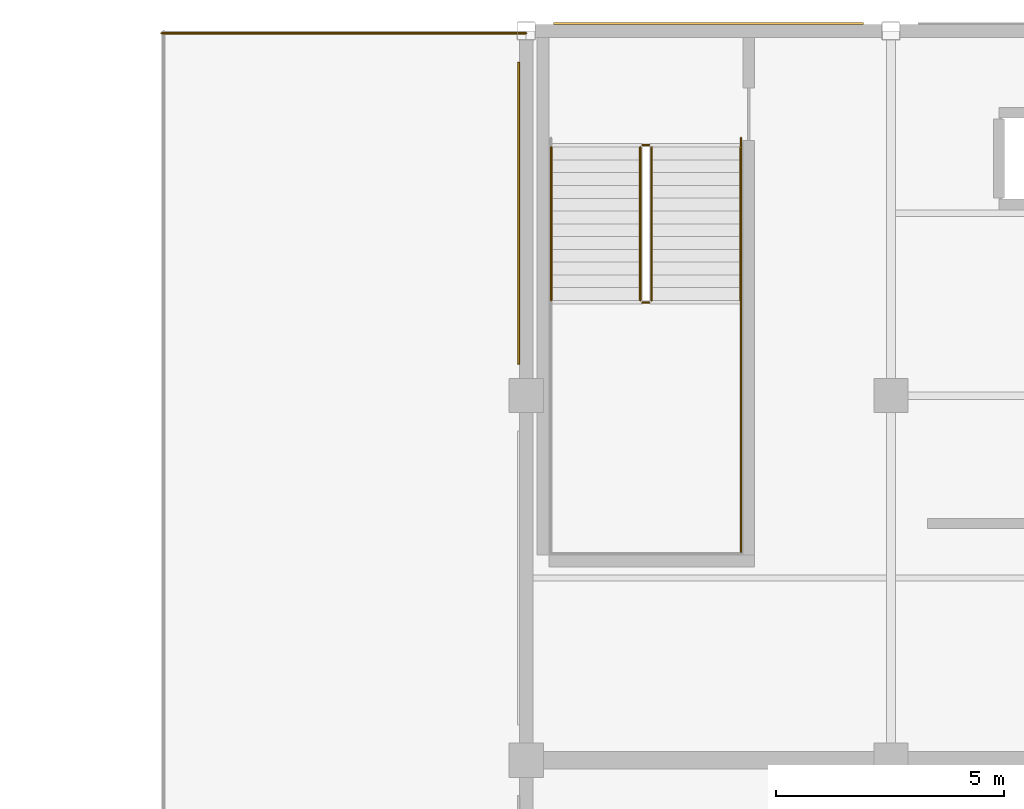
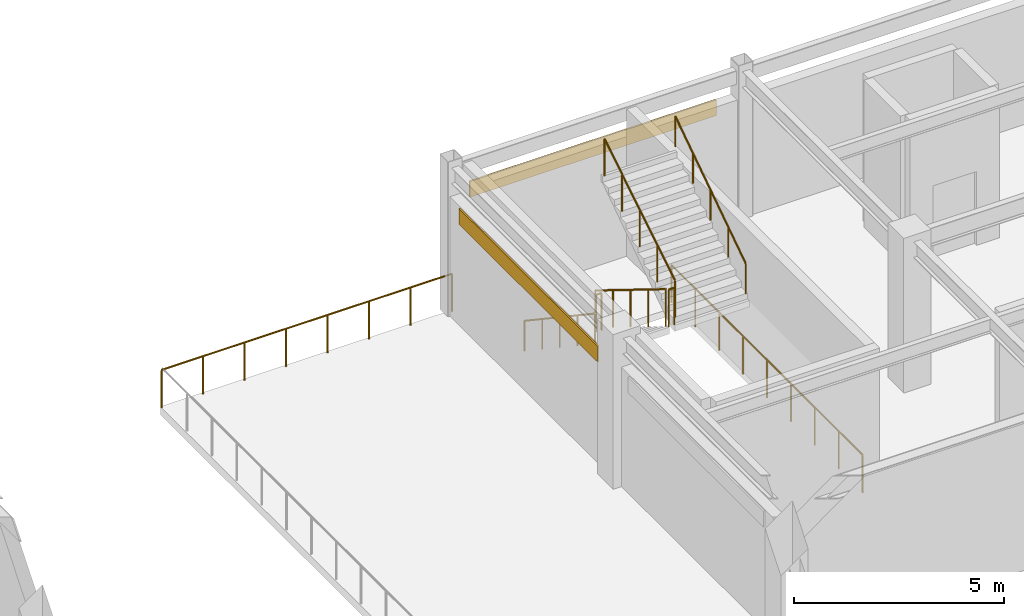
# One storey, part 72 of 75: 8 railings, 2 coverings.
"""IFC4 building model written with IfcOpenShell, lengths in metres."""

import ifcopenshell
import ifcopenshell.guid

model = None  # the IFC model being written
_history = None  # IfcOwnerHistory: only IFC2X3 demands one
_inside = {}  # id of a spatial element -> (the spatial element, [elements in it])
_under = {}  # id of a project, library or spatial element -> (it, [spatial elements below it])
_declared = {}  # id of a project -> (the project, [libraries it declares])
_typed = {}  # id of a type object -> (the type object, [elements of that type])
_made_of = {}  # id of a material, layer set ... -> (it, [elements and type objects made of it])


def new_model(schema):
    """Start an empty IFC model of exactly this schema.

    Asked for "IFC4X3", IfcOpenShell would pick the latest addendum, in which some entities
    have other attributes; the version numbers below select the first issue.
    IFC2X3 requires an IfcOwnerHistory on every rooted entity: one is made here for all.
    """
    global model, _history
    if schema == "IFC4X3":
        model = ifcopenshell.file(schema_version=(4, 3, 0, 0))
    else:
        model = ifcopenshell.file(schema=schema)
    _inside.clear()
    _under.clear()
    _declared.clear()
    _typed.clear()
    _made_of.clear()
    _history = None
    if model.schema == "IFC2X3":
        org = make("IfcOrganization", Name="unknown")
        user = make(
            "IfcPersonAndOrganization",
            ThePerson=make("IfcPerson", FamilyName="unknown"),
            TheOrganization=org,
        )
        app = make(
            "IfcApplication",
            ApplicationDeveloper=org,
            Version="unknown",
            ApplicationFullName="unknown",
            ApplicationIdentifier="unknown",
        )
        _history = make(
            "IfcOwnerHistory",
            OwningUser=user,
            OwningApplication=app,
            ChangeAction="ADDED",
            CreationDate=0,
        )
    return model


def make(cls, **values):
    """One entity of the class cls with the attributes given. An attribute that is None is left unset."""
    return model.create_entity(
        cls, **{name: value for name, value in values.items() if value is not None}
    )


def rooted(cls, **values):
    """An entity with a GlobalId (a new one), such as an element, a storey or a relation."""
    return make(cls, GlobalId=ifcopenshell.guid.new(), OwnerHistory=_history, **values)


def si_unit(unit_type, name, prefix=None):
    """IfcSIUnit, for example si_unit("LENGTHUNIT", "METRE", prefix="MILLI")."""
    return make("IfcSIUnit", UnitType=unit_type, Prefix=prefix, Name=name)


def assignment(units):
    """IfcUnitAssignment: the units of a project."""
    return None if units is None else make("IfcUnitAssignment", Units=units)


def point(xyz):
    """IfcCartesianPoint."""
    return None if xyz is None else make("IfcCartesianPoint", Coordinates=xyz)


def direction(xyz):
    """IfcDirection."""
    return None if xyz is None else make("IfcDirection", DirectionRatios=xyz)


def frame(location, z_axis=None, x_axis=None):
    """IfcAxis2Placement3D, a coordinate frame: its origin and axes. An axis left out is left unset."""
    return make(
        "IfcAxis2Placement3D",
        Location=point(location),
        Axis=direction(z_axis),
        RefDirection=direction(x_axis),
    )


def frame_2d(location, x_axis=None):
    """IfcAxis2Placement2D, a coordinate frame in the plane: its origin and x axis."""
    return make(
        "IfcAxis2Placement2D", Location=point(location), RefDirection=direction(x_axis)
    )


def origin():
    """The frame at (0, 0, 0) with its axes left unset."""
    return frame((0.0, 0.0, 0.0))


def origin_2d():
    """The frame at (0, 0) in the plane with its x axis left unset."""
    return frame_2d((0.0, 0.0))


def place(relative_to, where):
    """IfcLocalPlacement: puts the frame where relative to a parent placement (None: the world)."""
    return make(
        "IfcLocalPlacement", PlacementRelTo=relative_to, RelativePlacement=where
    )


def context(
    kind, dimensions, precision=None, world=None, true_north=None, identifier=None
):
    """IfcGeometricRepresentationContext, for example the 3D "Model" context."""
    return make(
        "IfcGeometricRepresentationContext",
        ContextIdentifier=identifier,
        ContextType=kind,
        CoordinateSpaceDimension=dimensions,
        Precision=precision,
        WorldCoordinateSystem=world,
        TrueNorth=true_north,
    )


def subcontext(parent, identifier, kind, view, scale=None):
    """IfcGeometricRepresentationSubContext, for example "Body" below "Model"."""
    return make(
        "IfcGeometricRepresentationSubContext",
        ContextIdentifier=identifier,
        ContextType=kind,
        ParentContext=parent,
        TargetScale=scale,
        TargetView=view,
    )


def project(units=None, contexts=None):
    """IfcProject with its units and contexts."""
    return rooted(
        "IfcProject",
        Name="project",
        RepresentationContexts=contexts,
        UnitsInContext=assignment(units),
    )


def spatial(cls, under=None, at=None, **own):
    """A site, building, storey or space (cls), placed at a placement, below another one or the project."""
    s = rooted(cls, ObjectPlacement=at, **own)
    if under is not None:
        _under.setdefault(under.id(), (under, []))[1].append(s)
    return s


def profile(cls, at=None, kind="AREA", **sizes):
    """A parametric profile (cls). Its sizes go by their IFC names, for example OverallWidth=200.0."""
    return make(cls, ProfileType=kind, Position=at, **sizes)


def rectangle(**sizes):
    """IfcRectangleProfileDef."""
    return profile("IfcRectangleProfileDef", **sizes)


def circle(**sizes):
    """IfcCircleProfileDef."""
    return profile("IfcCircleProfileDef", **sizes)


def extrude(swept, where, along, depth):
    """IfcExtrudedAreaSolid: the profile swept, set in the frame where, extruded along a direction by depth."""
    return make(
        "IfcExtrudedAreaSolid",
        SweptArea=swept,
        Position=where,
        ExtrudedDirection=direction(along),
        Depth=depth,
    )


def shape(context_of_items, identifier, shape_type, items):
    """IfcShapeRepresentation: the items that make up one representation, for example the "Body"."""
    return make(
        "IfcShapeRepresentation",
        ContextOfItems=context_of_items,
        RepresentationIdentifier=identifier,
        RepresentationType=shape_type,
        Items=items,
    )


def material(Name=None, Category=None):
    """IfcMaterial."""
    return make("IfcMaterial", Name=Name, Category=Category)


def layer(
    of_material, thickness, ventilated=None, Name=None, Category=None, Priority=None
):
    """IfcMaterialLayer: one layer of a wall or slab, of a material (None: an air gap)."""
    return make(
        "IfcMaterialLayer",
        Material=of_material,
        LayerThickness=thickness,
        IsVentilated=ventilated,
        Name=Name,
        Category=Category,
        Priority=Priority,
    )


def layer_set(layers, Name=None):
    """IfcMaterialLayerSet."""
    return make("IfcMaterialLayerSet", MaterialLayers=layers, LayerSetName=Name)


def made_of(thing, what):
    """Note that an element or type object is made of a material, layer set ...; save() writes the relation."""
    if what is not None:
        _made_of.setdefault(what.id(), (what, []))[1].append(thing)
    return thing


def type_object(cls, material=None, **own):
    """A type object (cls), such as IfcWallType, which elements share."""
    return made_of(rooted(cls, **own), material)


def element(
    cls,
    number,
    at=None,
    inside=None,
    cuts=None,
    type_object=None,
    material=None,
    context=None,
    identifier="Body",
    shape_type=None,
    held_by="IfcProductDefinitionShape",
    body=None,
    shapes=None,
    **own,
):
    """One element of the class cls, such as IfcWall. Its Tag is "e" and its number.

    at: its placement. inside: the storey or other place that contains it. cuts: it is an
    opening in that element (IfcRelVoidsElement). A single representation is given by context,
    identifier, shape_type and body (its items); several are given by shapes. held_by: the class
    of the entity that holds the representations. save() writes the other relations.
    """
    e = rooted(cls, Tag="e%d" % number, ObjectPlacement=at, **own)
    if body is not None:
        shapes = [shape(context, identifier, shape_type, body)]
    if shapes is not None:
        e.Representation = make(held_by, Representations=shapes)
    if inside is not None:
        _inside.setdefault(inside.id(), (inside, []))[1].append(e)
    if cuts is not None:
        rooted(
            "IfcRelVoidsElement", RelatingBuildingElement=cuts, RelatedOpeningElement=e
        )
    if type_object is not None:
        _typed.setdefault(type_object.id(), (type_object, []))[1].append(e)
    return made_of(e, material)


def aggregate(whole, parts):
    """IfcRelAggregates: a whole, such as a stair, and the parts it consists of."""
    return rooted("IfcRelAggregates", RelatingObject=whole, RelatedObjects=parts)


def save(model, path):
    """Write the relations noted so far, then the file.

    IfcRelAggregates (storeys below a building ...), IfcRelContainedInSpatialStructure (elements
    in a storey), IfcRelDefinesByType, IfcRelAssociatesMaterial and IfcRelDeclares: one each for
    every whole, place, type object, material and project.
    """
    for whole, parts in _under.values():
        aggregate(whole, parts)
    for where, things in _inside.values():
        rooted(
            "IfcRelContainedInSpatialStructure",
            RelatedElements=things,
            RelatingStructure=where,
        )
    for kind, things in _typed.values():
        rooted("IfcRelDefinesByType", RelatedObjects=things, RelatingType=kind)
    for what, things in _made_of.values():
        rooted("IfcRelAssociatesMaterial", RelatedObjects=things, RelatingMaterial=what)
    for by, libraries in _declared.values():
        rooted("IfcRelDeclares", RelatingContext=by, RelatedDefinitions=libraries)
    model.write(path)


model = new_model("IFC4")

# Units and contexts
model_context = context("Model", 3, precision=1e-05, world=origin(), true_north=direction((0.0, 1.0)))
body_context = subcontext(model_context, "Body", "Model", "MODEL_VIEW")
ifc_project = project(units=[si_unit("LENGTHUNIT", "METRE"), si_unit("AREAUNIT", "SQUARE_METRE"), si_unit("VOLUMEUNIT", "CUBIC_METRE"), si_unit("PLANEANGLEUNIT", "RADIAN"), si_unit("MASSUNIT", "GRAM", prefix="KILO")], contexts=[model_context])

# Site, building, storey
site_placement = place(None, origin())
site = spatial("IfcSite", under=ifc_project, at=site_placement, CompositionType="ELEMENT")
building_placement = place(site_placement, origin())
building = spatial("IfcBuilding", under=site, at=building_placement, Name="Solmirada Galleria", CompositionType="ELEMENT")
storey_placement = place(building_placement, frame((0.0, 0.0, 19.39990234375)))
storey = spatial("IfcBuildingStorey", under=building, at=storey_placement, Name="L04", CompositionType="ELEMENT", Elevation=19.39990234375)

# Coverings
ifc_material_1 = material(Name="Limestone cladding panels", Category="masonry")
ifc_layer_1 = layer(ifc_material_1, 0.044921875)
ifc_layer_set_1 = layer_set([ifc_layer_1], Name="Limestone cladding panels")
covering_type_1 = type_object("IfcCoveringType", Name="COV-CLAD-LIME", PredefinedType="CLADDING", material=ifc_layer_set_1)
covering_1_placement = place(storey_placement, frame((132.0, 120.16748046875, 2.990234375), z_axis=(0.0, 0.0, 1.0), x_axis=(1.0, 0.0, 0.0)))
element("IfcCovering", 1, at=covering_1_placement, inside=storey, type_object=covering_type_1, Name="Postmodern facade cladding L04-306", PredefinedType="CLADDING", context=body_context, shape_type="SweptSolid", body=[
    extrude(rectangle(XDim=6.7939453125, YDim=0.044921875, at=origin_2d()), origin(), (0.0, 0.0, 1.0), 0.4599609375),
])
ifc_material_2 = material(Name="Glazed terracotta facade panels", Category="masonry")
ifc_layer_2 = layer(ifc_material_2, 0.0400390625)
ifc_layer_set_2 = layer_set([ifc_layer_2], Name="Glazed terracotta facade panels")
covering_type_2 = type_object("IfcCoveringType", Name="COV-CLAD-TERRA", PredefinedType="CLADDING", material=ifc_layer_set_2)
covering_2_placement = place(storey_placement, frame((127.8349609375, 116.0, 2.990234375), z_axis=(0.0, 0.0, 1.0), x_axis=(0.0, 1.0, 0.0)))
element("IfcCovering", 2, at=covering_2_placement, inside=storey, type_object=covering_type_2, Name="Postmodern facade cladding L04-305", PredefinedType="CLADDING", context=body_context, shape_type="SweptSolid", body=[
    extrude(rectangle(XDim=6.6220703125, YDim=0.0400390625, at=origin_2d()), origin(), (0.0, 0.0, 1.0), 0.4599609375),
])

# Railings
ifc_material_3 = material(Name="Painted steel tubular railing", Category="steel")
railing_type_1 = type_object("IfcRailingType", Name="RAIL-STAIR-GUARD", PredefinedType="GUARDRAIL", material=ifc_material_3)
railing_1_placement = place(storey_placement, frame((130.5, 117.449951171875, 0.173095703125)))
element("IfcRailing", 3, at=railing_1_placement, inside=storey, type_object=railing_type_1, Name="L04 ST3 stair guard 1", PredefinedType="GUARDRAIL", context=body_context, shape_type="SweptSolid", body=[
    extrude(circle(Radius=0.02392578125, at=origin_2d()), frame((0.0, 0.0, 1.076171875), z_axis=(0.0, -0.850606129759, 0.525803396734), x_axis=(1.0, 0.0, 0.0)), (0.0, 0.0, 1.0), 3.949951171875),
    extrude(circle(Radius=0.02099609375, at=origin_2d()), origin(), (0.0, 0.0, 1.0), 1.048095703125),
    extrude(circle(Radius=0.02099609375, at=origin_2d()), frame((0.0, -0.83984375, 0.519287109375)), (0.0, 0.0, 1.0), 1.048095703125),
    extrude(circle(Radius=0.02099609375, at=origin_2d()), frame((0.0, -1.679931640625, 1.03857421875)), (0.0, 0.0, 1.0), 1.048095703125),
    extrude(circle(Radius=0.02099609375, at=origin_2d()), frame((0.0, -2.52001953125, 1.5576171875)), (0.0, 0.0, 1.0), 1.048095703125),
    extrude(circle(Radius=0.02099609375, at=origin_2d()), frame((0.0, -3.35986328125, 2.076904296875)), (0.0, 0.0, 1.0), 1.048095703125),
])
railing_2_placement = place(storey_placement, frame((130.550048828125, 114.0400390625, 2.25)))
element("IfcRailing", 4, at=railing_2_placement, inside=storey, type_object=railing_type_1, Name="L04 ST3 stair guard 2", PredefinedType="GUARDRAIL", context=body_context, shape_type="SweptSolid", body=[
    extrude(circle(Radius=0.02392578125, at=origin_2d()), frame((0.0, 0.0, 1.076171875), z_axis=(1.0, 0.0, 0.0), x_axis=(0.0, 1.0, 0.0)), (0.0, 0.0, 1.0), 0.14990234375),
    extrude(circle(Radius=0.02099609375, at=origin_2d()), origin(), (0.0, 0.0, 1.0), 1.048095703125),
    extrude(circle(Radius=0.02099609375, at=origin_2d()), frame((0.14990234375, 0.0, 0.0)), (0.0, 0.0, 1.0), 1.048095703125),
])
railing_3_placement = place(storey_placement, frame((130.75, 114.090087890625, 2.423095703125)))
element("IfcRailing", 5, at=railing_3_placement, inside=storey, type_object=railing_type_1, Name="L04 ST3 stair guard 3", PredefinedType="GUARDRAIL", context=body_context, shape_type="SweptSolid", body=[
    extrude(circle(Radius=0.02392578125, at=origin_2d()), frame((0.0, 0.0, 1.076171875), z_axis=(0.0, 0.850606129759, 0.525803396734), x_axis=(-1.0, 0.0, 0.0)), (0.0, 0.0, 1.0), 3.949951171875),
    extrude(circle(Radius=0.02099609375, at=origin_2d()), origin(), (0.0, 0.0, 1.0), 1.048095703125),
    extrude(circle(Radius=0.02099609375, at=origin_2d()), frame((0.0, 0.83984375, 0.519287109375)), (0.0, 0.0, 1.0), 1.048095703125),
    extrude(circle(Radius=0.02099609375, at=origin_2d()), frame((0.0, 1.679931640625, 1.03857421875)), (0.0, 0.0, 1.0), 1.048095703125),
    extrude(circle(Radius=0.02099609375, at=origin_2d()), frame((0.0, 2.52001953125, 1.5576171875)), (0.0, 0.0, 1.0), 1.048095703125),
    extrude(circle(Radius=0.02099609375, at=origin_2d()), frame((0.0, 3.35986328125, 2.076904296875)), (0.0, 0.0, 1.0), 1.048095703125),
])
railing_4_placement = place(storey_placement, frame((130.550048828125, 117.5, 0.0)))
element("IfcRailing", 6, at=railing_4_placement, inside=storey, type_object=railing_type_1, Name="L04 ST3 stair guard 4", PredefinedType="GUARDRAIL", context=body_context, shape_type="SweptSolid", body=[
    extrude(circle(Radius=0.02392578125, at=origin_2d()), frame((0.0, 0.0, 1.076171875), z_axis=(1.0, 0.0, 0.0), x_axis=(0.0, 1.0, 0.0)), (0.0, 0.0, 1.0), 0.14990234375),
    extrude(circle(Radius=0.02099609375, at=origin_2d()), origin(), (0.0, 0.0, 1.0), 1.048095703125),
    extrude(circle(Radius=0.02099609375, at=origin_2d()), frame((0.14990234375, 0.0, 0.0)), (0.0, 0.0, 1.0), 1.048095703125),
])
railing_5_placement = place(storey_placement, frame((132.7099609375, 117.64990234375, 0.0)))
element("IfcRailing", 7, at=railing_5_placement, inside=storey, type_object=railing_type_1, Name="Stair ST3 well edge guard L04-1", PredefinedType="GUARDRAIL", context=body_context, shape_type="SweptSolid", body=[
    extrude(circle(Radius=0.02392578125, at=origin_2d()), frame((0.0, 0.0, 1.09619140625), z_axis=(0.0, -1.0, 0.0), x_axis=(1.0, 0.0, 0.0)), (0.0, 0.0, 1.0), 9.10986328125),
    extrude(circle(Radius=0.02099609375, at=origin_2d()), origin(), (0.0, 0.0, 1.0), 1.068115234375),
    extrude(circle(Radius=0.02099609375, at=origin_2d()), frame((0.0, -1.138671875, 0.0)), (0.0, 0.0, 1.0), 1.068115234375),
    extrude(circle(Radius=0.02099609375, at=origin_2d()), frame((0.0, -2.27734375, 0.0)), (0.0, 0.0, 1.0), 1.068115234375),
    extrude(circle(Radius=0.02099609375, at=origin_2d()), frame((0.0, -3.416259765625, 0.0)), (0.0, 0.0, 1.0), 1.068115234375),
    extrude(circle(Radius=0.02099609375, at=origin_2d()), frame((0.0, -4.554931640625, 0.0)), (0.0, 0.0, 1.0), 1.068115234375),
    extrude(circle(Radius=0.02099609375, at=origin_2d()), frame((0.0, -5.693603515625, 0.0)), (0.0, 0.0, 1.0), 1.068115234375),
    extrude(circle(Radius=0.02099609375, at=origin_2d()), frame((0.0, -6.83251953125, 0.0)), (0.0, 0.0, 1.0), 1.068115234375),
    extrude(circle(Radius=0.02099609375, at=origin_2d()), frame((0.0, -7.97119140625, 0.0)), (0.0, 0.0, 1.0), 1.068115234375),
    extrude(circle(Radius=0.02099609375, at=origin_2d()), frame((0.0, -9.10986328125, 0.0)), (0.0, 0.0, 1.0), 1.068115234375),
])
railing_type_2 = type_object("IfcRailingType", Name="RAIL-STAIR-HAND", PredefinedType="HANDRAIL", material=ifc_material_3)
railing_6_placement = place(storey_placement, frame((128.550048828125, 117.449951171875, 0.173095703125)))
element("IfcRailing", 8, at=railing_6_placement, inside=storey, type_object=railing_type_2, Name="L04 ST3 stair handrail 1", PredefinedType="HANDRAIL", context=body_context, shape_type="SweptSolid", body=[
    extrude(circle(Radius=0.02392578125, at=origin_2d()), frame((0.0, 0.0, 0.8759765625), z_axis=(0.0, -0.830896709279, 0.556426687452), x_axis=(1.0, 0.0, 0.0)), (0.0, 0.0, 1.0), 4.043701171875),
    extrude(circle(Radius=0.02099609375, at=origin_2d()), origin(), (0.0, 0.0, 1.0), 0.847900390625),
    extrude(circle(Radius=0.02099609375, at=origin_2d()), frame((0.0, -0.83984375, 0.5625)), (0.0, 0.0, 1.0), 0.847900390625),
    extrude(circle(Radius=0.02099609375, at=origin_2d()), frame((0.0, -1.679931640625, 1.125)), (0.0, 0.0, 1.0), 0.847900390625),
    extrude(circle(Radius=0.02099609375, at=origin_2d()), frame((0.0, -2.52001953125, 1.6875)), (0.0, 0.0, 1.0), 0.847900390625),
    extrude(circle(Radius=0.02099609375, at=origin_2d()), frame((0.0, -3.35986328125, 2.25)), (0.0, 0.0, 1.0), 0.847900390625),
])
railing_7_placement = place(storey_placement, frame((132.699951171875, 114.090087890625, 2.423095703125)))
element("IfcRailing", 9, at=railing_7_placement, inside=storey, type_object=railing_type_2, Name="L04 ST3 stair handrail 2", PredefinedType="HANDRAIL", context=body_context, shape_type="SweptSolid", body=[
    extrude(circle(Radius=0.02392578125, at=origin_2d()), frame((0.0, 0.0, 0.8759765625), z_axis=(0.0, 0.830896709279, 0.556426687452), x_axis=(-1.0, 0.0, 0.0)), (0.0, 0.0, 1.0), 4.043701171875),
    extrude(circle(Radius=0.02099609375, at=origin_2d()), origin(), (0.0, 0.0, 1.0), 0.847900390625),
    extrude(circle(Radius=0.02099609375, at=origin_2d()), frame((0.0, 0.83984375, 0.5625)), (0.0, 0.0, 1.0), 0.847900390625),
    extrude(circle(Radius=0.02099609375, at=origin_2d()), frame((0.0, 1.679931640625, 1.125)), (0.0, 0.0, 1.0), 0.847900390625),
    extrude(circle(Radius=0.02099609375, at=origin_2d()), frame((0.0, 2.52001953125, 1.6875)), (0.0, 0.0, 1.0), 0.847900390625),
    extrude(circle(Radius=0.02099609375, at=origin_2d()), frame((0.0, 3.35986328125, 2.25)), (0.0, 0.0, 1.0), 0.847900390625),
])
ifc_material_4 = material(Name="Painted galvanized steel balustrade", Category="steel")
railing_type_3 = type_object("IfcRailingType", Name="RAIL-TERR-1100", PredefinedType="GUARDRAIL", material=ifc_material_4)
railing_8_placement = place(storey_placement, frame((128.0, 119.949951171875, 0.0)))
element("IfcRailing", 10, at=railing_8_placement, inside=storey, type_object=railing_type_3, Name="Terrace guardrail L04-TERR-WING2 E3.1", PredefinedType="GUARDRAIL", context=body_context, shape_type="SweptSolid", body=[
    extrude(circle(Radius=0.02392578125, at=origin_2d()), frame((0.0, 0.0, 1.09619140625), z_axis=(-1.0, 0.0, 0.0), x_axis=(0.0, -1.0, 0.0)), (0.0, 0.0, 1.0), 8.0),
    extrude(circle(Radius=0.02099609375, at=origin_2d()), origin(), (0.0, 0.0, 1.0), 1.068115234375),
    extrude(circle(Radius=0.02099609375, at=origin_2d()), frame((-1.142822265625, 0.0, 0.0)), (0.0, 0.0, 1.0), 1.068115234375),
    extrude(circle(Radius=0.02099609375, at=origin_2d()), frame((-2.28564453125, 0.0, 0.0)), (0.0, 0.0, 1.0), 1.068115234375),
    extrude(circle(Radius=0.02099609375, at=origin_2d()), frame((-3.428466796875, 0.0, 0.0)), (0.0, 0.0, 1.0), 1.068115234375),
    extrude(circle(Radius=0.02099609375, at=origin_2d()), frame((-4.571533203125, 0.0, 0.0)), (0.0, 0.0, 1.0), 1.068115234375),
    extrude(circle(Radius=0.02099609375, at=origin_2d()), frame((-5.71435546875, 0.0, 0.0)), (0.0, 0.0, 1.0), 1.068115234375),
    extrude(circle(Radius=0.02099609375, at=origin_2d()), frame((-6.857177734375, 0.0, 0.0)), (0.0, 0.0, 1.0), 1.068115234375),
    extrude(circle(Radius=0.02099609375, at=origin_2d()), frame((-8.0, 0.0, 0.0)), (0.0, 0.0, 1.0), 1.068115234375),
])

save(model, "model.ifc")
